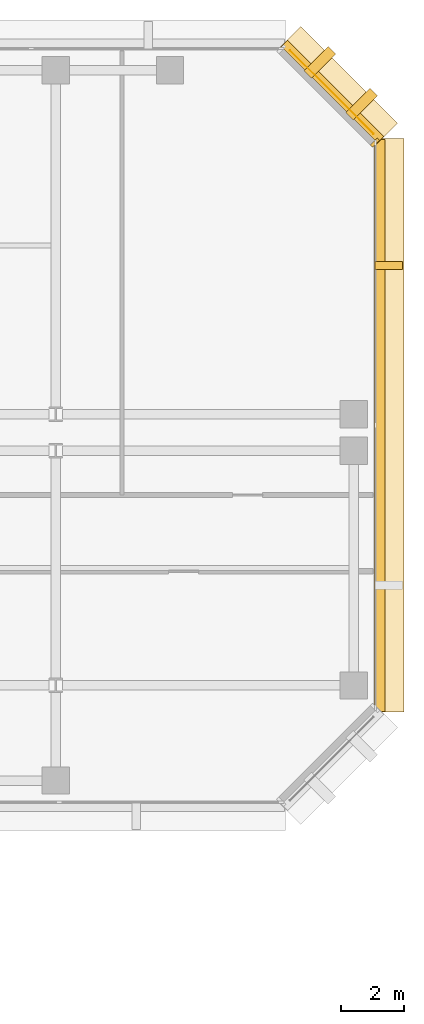
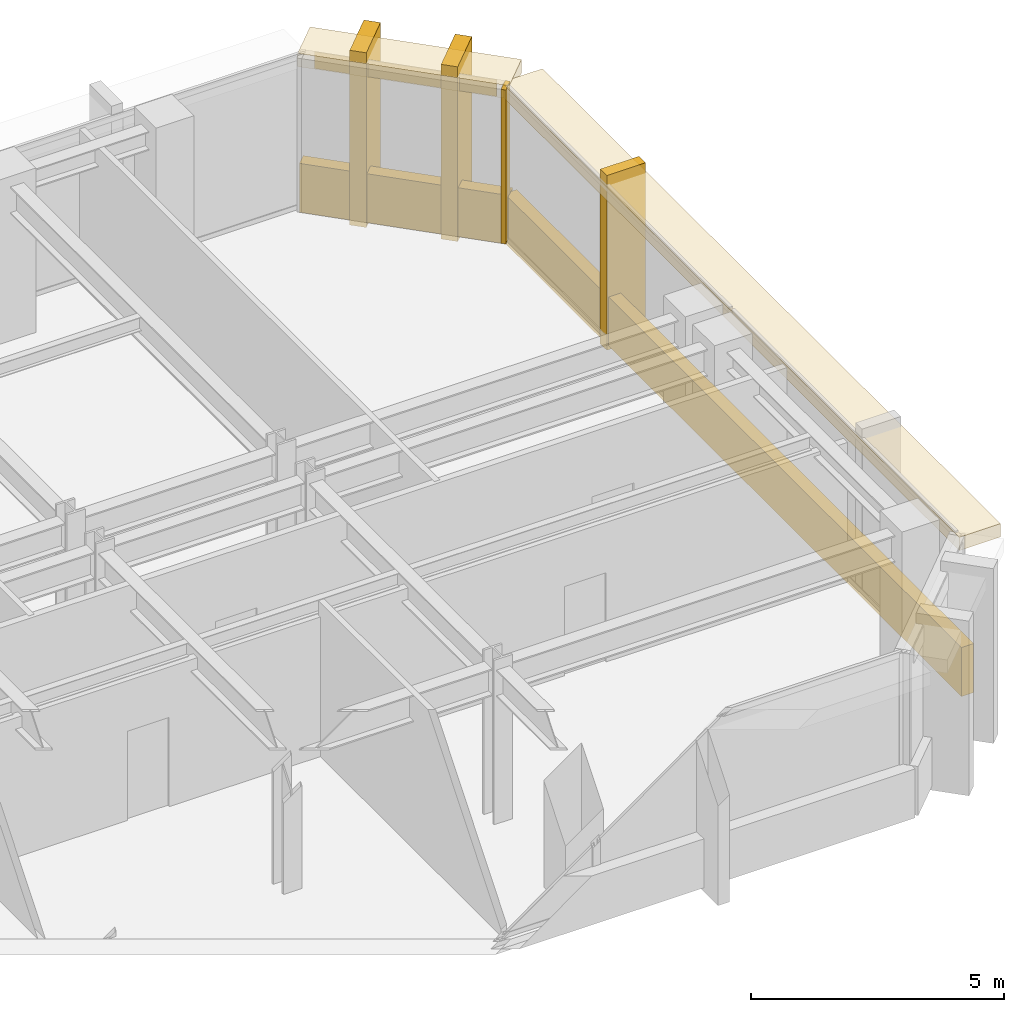
# One storey, part 12 of 12: 9 coverings.
"""IFC4 building model written with IfcOpenShell, lengths in metres."""

from ifc_helpers import new_model, si_unit, direction, frame, origin, origin_2d, place, context, subcontext, project, spatial, rectangle, extrude, material, layer, layer_set, type_object, element, save


model = new_model("IFC4")

# Units and contexts
model_context = context("Model", 3, precision=1e-05, world=origin(), true_north=direction((0.0, 1.0)))
body_context = subcontext(model_context, "Body", "Model", "MODEL_VIEW")
ifc_project = project(units=[si_unit("LENGTHUNIT", "METRE"), si_unit("AREAUNIT", "SQUARE_METRE"), si_unit("VOLUMEUNIT", "CUBIC_METRE"), si_unit("PLANEANGLEUNIT", "RADIAN"), si_unit("MASSUNIT", "GRAM", prefix="KILO")], contexts=[model_context])

# Site, building, storey
site_placement = place(None, origin())
site = spatial("IfcSite", under=ifc_project, at=site_placement, CompositionType="ELEMENT")
building_placement = place(site_placement, origin())
building = spatial("IfcBuilding", under=site, at=building_placement, Name="Kefirva Bronze Tower", CompositionType="ELEMENT")
storey_placement = place(building_placement, frame((0.0, 0.0, 122.429931640625)))
storey = spatial("IfcBuildingStorey", under=building, at=storey_placement, Name="L29", CompositionType="ELEMENT", Elevation=122.429931640625)

# Coverings
ifc_material = material(Name="Bronze anodised aluminium", Category="aluminium")
ifc_layer_1 = layer(ifc_material, 0.02001953125, Name="Bronze anodised aluminium")
ifc_layer_set_1 = layer_set([ifc_layer_1], Name="Bronze anodised aluminium")
covering_type_1 = type_object("IfcCoveringType", Name="Anodised Bronze Spandrel Cladding 20mm", PredefinedType="CLADDING", material=ifc_layer_set_1)
covering_1_placement = place(storey_placement, frame((50.239990234375, 34.0, -0.15966796875), z_axis=(0.0, 0.0, 1.0), x_axis=(0.0, 1.0, 0.0)))
element("IfcCovering", 1, at=covering_1_placement, inside=storey, type_object=covering_type_1, Name="L29 Streamline Horizontal Spandrel Band 6", PredefinedType="CLADDING", context=body_context, shape_type="SweptSolid", body=[
    extrude(rectangle(XDim=18.0400390625, YDim=0.280029296875, at=origin_2d()), origin(), (0.0, 0.0, 1.0), 1.179931640625),
])
covering_2_placement = place(storey_placement, frame((48.70703125, 44.507080078125, 3.2900390625), z_axis=(0.0, 0.0, 1.0), x_axis=(-0.707106781187, 0.707106781187, 0.0)))
element("IfcCovering", 2, at=covering_2_placement, inside=storey, type_object=covering_type_1, Name="L29 Bronze Spandrel Cladding 4", PredefinedType="CLADDING", context=body_context, shape_type="SweptSolid", body=[
    extrude(rectangle(XDim=3.719482421875, YDim=0.02001953125, at=origin_2d()), origin(), (0.0, 0.0, 1.0), 0.39990234375),
])
covering_3_placement = place(storey_placement, frame((50.06201171875, 42.91162109375, 0.0), z_axis=(0.0, 0.0, 1.0), x_axis=(-0.707106781187, 0.707106781187, 0.0)))
element("IfcCovering", 3, at=covering_3_placement, inside=storey, type_object=covering_type_1, Name="L29 Facade Joint Closure Panel 4S", PredefinedType="CLADDING", context=body_context, shape_type="SweptSolid", body=[
    extrude(rectangle(XDim=0.10009765625, YDim=0.320068359375, at=origin_2d()), origin(), (0.0, 0.0, 1.0), 3.7099609375),
])
covering_4_placement = place(storey_placement, frame((48.728271484375, 44.5283203125, -0.15966796875), z_axis=(0.0, 0.0, 1.0), x_axis=(-0.707106781187, 0.707106781187, 0.0)))
element("IfcCovering", 4, at=covering_4_placement, inside=storey, type_object=covering_type_1, Name="L29 Streamline Horizontal Spandrel Band 7", PredefinedType="CLADDING", context=body_context, shape_type="SweptSolid", body=[
    extrude(rectangle(XDim=4.28271484375, YDim=0.280029296875, at=origin_2d()), origin(), (0.0, 0.0, 1.0), 1.179931640625),
])
ifc_layer_2 = layer(ifc_material, 0.179931640625, Name="Bronze anodised aluminium")
ifc_layer_set_2 = layer_set([ifc_layer_2], Name="Bronze anodised aluminium")
covering_type_2 = type_object("IfcCoveringType", Name="Streamline Bronze Sunshade Eyebrow Cladding 180mm", PredefinedType="CLADDING", material=ifc_layer_set_2)
covering_5_placement = place(storey_placement, frame((50.510009765625, 34.0, 3.39013671875), z_axis=(0.0, 0.0, 1.0), x_axis=(0.0, 1.0, 0.0)))
element("IfcCovering", 5, at=covering_5_placement, inside=storey, type_object=covering_type_2, Name="L29 Streamline Bronze Sunshade Eyebrow 6", PredefinedType="CLADDING", context=body_context, shape_type="SweptSolid", body=[
    extrude(rectangle(XDim=18.080078125, YDim=0.93994140625, at=origin_2d()), origin(), (0.0, 0.0, 1.0), 0.320068359375),
])
covering_6_placement = place(storey_placement, frame((48.919189453125, 44.71923828125, 3.39013671875), z_axis=(0.0, 0.0, 1.0), x_axis=(-0.707106781187, 0.707106781187, 0.0)))
element("IfcCovering", 6, at=covering_6_placement, inside=storey, type_object=covering_type_2, Name="L29 Streamline Bronze Sunshade Eyebrow 7", PredefinedType="CLADDING", context=body_context, shape_type="SweptSolid", body=[
    extrude(rectangle(XDim=4.322509765625, YDim=0.93994140625, at=origin_2d()), origin(), (0.0, 0.0, 1.0), 0.320068359375),
])
ifc_layer_3 = layer(ifc_material, 0.260009765625, Name="Bronze anodised aluminium")
ifc_layer_set_3 = layer_set([ifc_layer_3], Name="Bronze anodised aluminium")
covering_type_3 = type_object("IfcCoveringType", Name="Unbroken Bronze Buttress Fin Cladding 260mm", PredefinedType="CLADDING", material=ifc_layer_set_3)
covering_7_placement = place(storey_placement, frame((50.5, 39.0400390625, -0.25), z_axis=(0.0, 0.0, 1.0), x_axis=(0.0, 1.0, 0.0)))
element("IfcCovering", 7, at=covering_7_placement, inside=storey, type_object=covering_type_3, Name="L29 Unbroken Vertical Bronze Rib Fin 14", PredefinedType="CLADDING", context=body_context, shape_type="SweptSolid", body=[
    extrude(rectangle(XDim=0.260009765625, YDim=0.8798828125, at=origin_2d()), origin(), (0.0, 0.0, 1.0), 4.2099609375),
])
for number, where, z_axis, x_axis, name in (
    (8, (49.642822265625, 44.122802734375, -0.25), (0.0, 0.0, 1.0), (-0.707106781187, 0.707106781187, 0.0), "L29 Chamfered Corner Buttress Fin Cladding 15"),
    (9, (48.32275390625, 45.44287109375, -0.25), (0.0, 0.0, 1.0), (-0.707106781187, 0.707106781187, 0.0), "L29 Chamfered Corner Buttress Fin Cladding 16"),
):
    element("IfcCovering", number, at=place(storey_placement, frame(where, z_axis=z_axis, x_axis=x_axis)), inside=storey, type_object=covering_type_3, Name=name, PredefinedType="CLADDING", context=body_context, shape_type="SweptSolid", body=[
        extrude(rectangle(XDim=0.340087890625, YDim=1.080078125, at=origin_2d()), origin(), (0.0, 0.0, 1.0), 4.2099609375),
    ])

save(model, "model.ifc")
